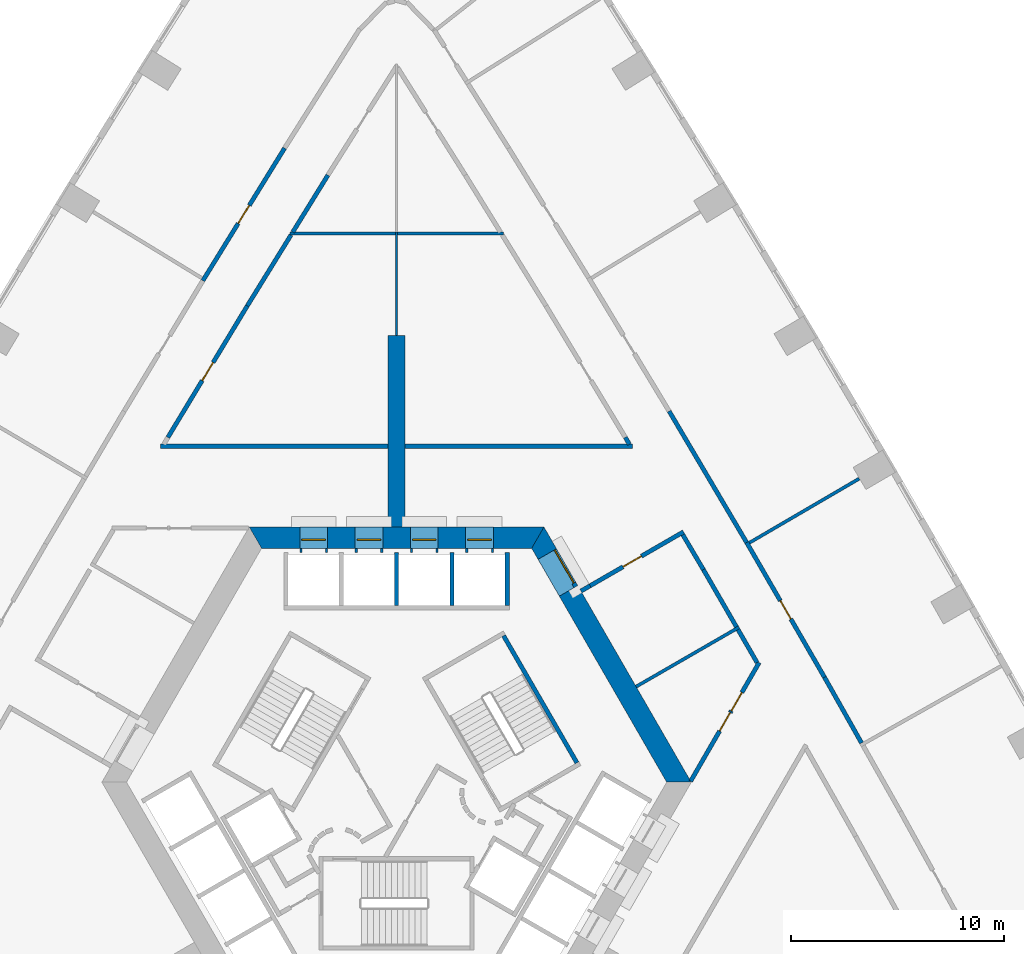
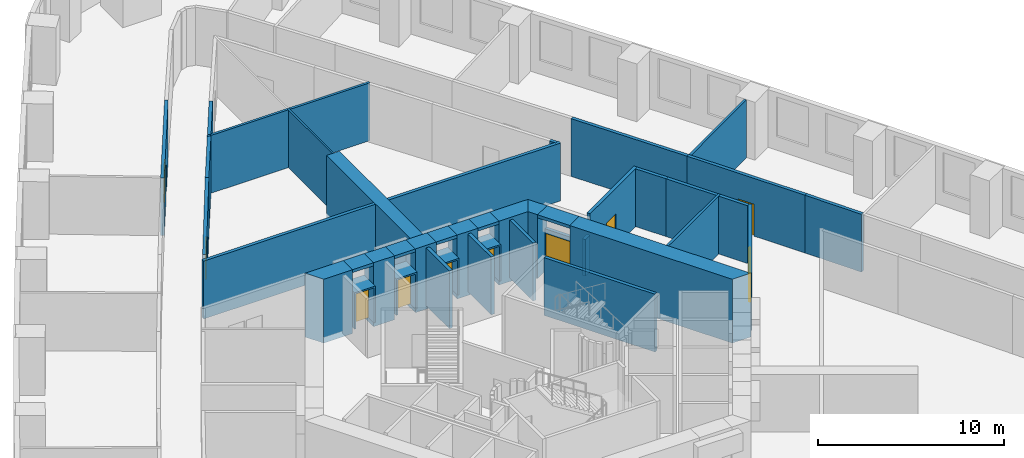
# One storey, part 9 of 13: 43 walls, 11 doors, 11 openings.
"""IFC4 building model written with IfcOpenShell, lengths in metres."""

from ifc_helpers import new_model, si_unit, direction, frame, frame_2d, origin, place, context, subcontext, project, spatial, polyline, rectangle, outline, extrude, material, layer, layer_set, type_object, element, fill, save


model = new_model("IFC4")

# Units and contexts
model_context = context("Model", 3, precision=1e-05, world=origin(), true_north=direction((0.0, 1.0)))
body_context = subcontext(model_context, "Body", "Model", "MODEL_VIEW")
ifc_project = project(units=[si_unit("LENGTHUNIT", "METRE"), si_unit("AREAUNIT", "SQUARE_METRE"), si_unit("VOLUMEUNIT", "CUBIC_METRE"), si_unit("PLANEANGLEUNIT", "RADIAN"), si_unit("MASSUNIT", "GRAM", prefix="KILO")], contexts=[model_context])

# Site, building, storey
site_placement = place(None, origin())
site = spatial("IfcSite", under=ifc_project, at=site_placement, CompositionType="ELEMENT")
building_placement = place(site_placement, origin())
building = spatial("IfcBuilding", under=site, at=building_placement, Name="Entoto Arch Interchange Tower", CompositionType="ELEMENT")
storey_placement = place(building_placement, frame((0.0, 0.0, 51.800048828125)))
storey = spatial("IfcBuildingStorey", under=building, at=storey_placement, Name="L10", CompositionType="ELEMENT", Elevation=51.800048828125)

# Wall
ifc_material_1 = material(Name="Concrete C60/75", Category="concrete")
ifc_layer_1 = layer(ifc_material_1, 0.800048828125)
ifc_layer_set_1 = layer_set([ifc_layer_1], Name="Concrete C60/75")
wall_type_1 = type_object("IfcWallType", Name="Buttress wall 800 C60/75", PredefinedType="SHEAR", material=ifc_layer_set_1)
wall_1_placement = place(storey_placement, frame((0.0, 14.5, -0.400146484375), z_axis=(0.0, 0.0, 1.0), x_axis=(0.0, 1.0, 0.0)))
element("IfcWall", 1, at=wall_1_placement, inside=storey, type_object=wall_type_1, Name="Buttress wall N L10", PredefinedType="SHEAR", context=body_context, shape_type="SweptSolid", body=[
    extrude(rectangle(XDim=9.0, YDim=0.800048828125, at=frame_2d((4.5, 0.0))), origin(), (0.0, 0.0, 1.0), 4.2001953125),
])

# Wall, opening, door
ifc_material_2 = material(Name="Reinforced concrete C40/50", Category="concrete")
ifc_layer_2 = layer(ifc_material_2, 0.199951171875)
ifc_layer_set_2 = layer_set([ifc_layer_2], Name="Reinforced concrete C40/50")
wall_type_2 = type_object("IfcWallType", Name="CORE GAP INFILL WALL", PredefinedType="PARTITIONING", material=ifc_layer_set_2)
wall_2_placement = place(storey_placement, frame((8.429931640625, 11.697998046875, 0.0), z_axis=(0.0, 0.0, 1.0), x_axis=(-0.50002537861, 0.866010750942, 0.0)))
wall_2 = element("IfcWall", 2, at=wall_2_placement, inside=storey, type_object=wall_type_2, Name="wall:L10:gap2", PredefinedType="PARTITIONING", context=body_context, shape_type="SweptSolid", body=[
    extrude(rectangle(XDim=2.0, YDim=0.199951171875, at=frame_2d((1.0, 0.0))), origin(), (0.0, 0.0, 1.0), 2.39990234375),
])
opening_1_placement = place(wall_2_placement, frame((0.18994140625, 0.0, 0.0)))
opening_1 = element("IfcOpeningElement", 3, at=opening_1_placement, cuts=wall_2, Name="Opening L10-D92", PredefinedType="OPENING", context=body_context, shape_type="SweptSolid", body=[
    extrude(rectangle(XDim=1.800048828125, YDim=2.10009765625, at=frame_2d((0.89990234375, 1.050048828125))), frame((0.0, 0.10986328125, 0.0), z_axis=(0.0, -1.0, 0.0), x_axis=(1.0, 0.0, 0.0)), (0.0, 0.0, 1.0), 0.219970703125),
])
ifc_material_3 = material(Name="Fire-rated Steel S235 door and frame", Category="steel")
door_type_1 = type_object("IfcDoorType", Name="DOOR FD-18 1800x2100", OperationType="DOUBLE_DOOR_SINGLE_SWING", PredefinedType="DOOR", material=ifc_material_3)
door_1_placement = place(opening_1_placement, origin())
door_1 = element("IfcDoor", 4, at=door_1_placement, inside=storey, type_object=door_type_1, Name="door:L10:gap2", OperationType="DOUBLE_DOOR_SINGLE_SWING", OverallHeight=2.10009765625, OverallWidth=1.800048828125, PredefinedType="DOOR", context=body_context, shape_type="SweptSolid", body=[
    extrude(rectangle(XDim=1.800048828125, YDim=2.10009765625, at=frame_2d((0.89990234375, 1.050048828125))), frame((0.0, 0.02490234375, 0.0), z_axis=(0.0, -1.0, 0.0), x_axis=(1.0, 0.0, 0.0)), (0.0, 0.0, 1.0), 0.050048828125),
])
fill(opening_1, door_1)

# Walls
ifc_layer_3 = layer(ifc_material_1, 1.0)
ifc_layer_set_3 = layer_set([ifc_layer_3], Name="Concrete C60/75")
wall_type_3 = type_object("IfcWallType", Name="Core wall 1000 C60/75", PredefinedType="SHEAR", material=ifc_layer_set_3)
wall_3_placement = place(storey_placement, frame((0.0, 0.0, -0.400146484375)))
element("IfcWall", 5, at=wall_3_placement, inside=storey, type_object=wall_type_3, Name="Core wall NE L10", PredefinedType="SHEAR", context=body_context, shape_type="SweptSolid", body=[
    extrude(outline(polyline([(8.51708984375, 11.748046875), (7.65087890625, 11.248046875), (12.701904296875, 2.5), (13.85595703125, 2.5), (8.51708984375, 11.748046875)])), origin(), (0.0, 0.0, 1.0), 4.2001953125),
])
wall_4_placement = place(storey_placement, frame((0.0, 0.0, -0.400146484375)))
element("IfcWall", 6, at=wall_4_placement, inside=storey, type_object=wall_type_3, Name="Core wall NE L10", PredefinedType="SHEAR", context=body_context, shape_type="SweptSolid", body=[
    extrude(outline(polyline([(6.65087890625, 12.97998046875), (7.51708984375, 13.47998046875), (6.927978515625, 14.5), (6.35107421875, 13.5), (6.65087890625, 12.97998046875)])), origin(), (0.0, 0.0, 1.0), 4.2001953125),
])
wall_5_placement = place(storey_placement, frame((0.0, 0.0, 3.599853515625)))
element("IfcWall", 7, at=wall_5_placement, inside=storey, type_object=wall_type_3, Name="Core wall lintel NE L10", PredefinedType="SHEAR", context=body_context, shape_type="SweptSolid", body=[
    extrude(outline(polyline([(7.51708984375, 13.47998046875), (6.65087890625, 12.97998046875), (7.65087890625, 11.248046875), (8.51708984375, 11.748046875), (7.51708984375, 13.47998046875)])), origin(), (0.0, 0.0, 1.0), 0.2001953125),
])
wall_6_placement = place(storey_placement, frame((0.0, 0.0, -0.400146484375)))
element("IfcWall", 8, at=wall_6_placement, inside=storey, type_object=wall_type_3, Name="Core wall N L10", PredefinedType="SHEAR", context=body_context, shape_type="SweptSolid", body=[
    extrude(outline(polyline([(4.550048828125, 14.5), (4.550048828125, 13.5), (6.35107421875, 13.5), (6.927978515625, 14.5), (4.550048828125, 14.5)])), origin(), (0.0, 0.0, 1.0), 4.2001953125),
])
wall_7_placement = place(storey_placement, frame((0.0, 0.0, -0.400146484375)))
element("IfcWall", 9, at=wall_7_placement, inside=storey, type_object=wall_type_3, Name="Core wall N L10", PredefinedType="SHEAR", context=body_context, shape_type="SweptSolid", body=[
    extrude(outline(polyline([(1.949951171875, 14.5), (1.949951171875, 13.5), (3.25, 13.5), (3.25, 14.5), (1.949951171875, 14.5)])), origin(), (0.0, 0.0, 1.0), 4.2001953125),
])
wall_8_placement = place(storey_placement, frame((0.0, 0.0, -0.400146484375)))
element("IfcWall", 10, at=wall_8_placement, inside=storey, type_object=wall_type_3, Name="Core wall N L10", PredefinedType="SHEAR", context=body_context, shape_type="SweptSolid", body=[
    extrude(outline(polyline([(-0.64990234375, 14.5), (-0.64990234375, 13.5), (0.64990234375, 13.5), (0.64990234375, 14.5), (-0.64990234375, 14.5)])), origin(), (0.0, 0.0, 1.0), 4.2001953125),
])
wall_9_placement = place(storey_placement, frame((0.0, 0.0, -0.400146484375)))
element("IfcWall", 11, at=wall_9_placement, inside=storey, type_object=wall_type_3, Name="Core wall N L10", PredefinedType="SHEAR", context=body_context, shape_type="SweptSolid", body=[
    extrude(outline(polyline([(-3.25, 14.5), (-3.25, 13.5), (-1.949951171875, 13.5), (-1.949951171875, 14.5), (-3.25, 14.5)])), origin(), (0.0, 0.0, 1.0), 4.2001953125),
])
wall_10_placement = place(storey_placement, frame((0.0, 0.0, -0.400146484375)))
element("IfcWall", 12, at=wall_10_placement, inside=storey, type_object=wall_type_3, Name="Core wall N L10", PredefinedType="SHEAR", context=body_context, shape_type="SweptSolid", body=[
    extrude(outline(polyline([(-4.550048828125, 13.5), (-4.550048828125, 14.5), (-6.927978515625, 14.5), (-6.35107421875, 13.5), (-4.550048828125, 13.5)])), origin(), (0.0, 0.0, 1.0), 4.2001953125),
])
wall_11_placement = place(storey_placement, frame((0.0, 0.0, 3.599853515625)))
element("IfcWall", 13, at=wall_11_placement, inside=storey, type_object=wall_type_3, Name="Core wall lintel N L10", PredefinedType="SHEAR", context=body_context, shape_type="SweptSolid", body=[
    extrude(outline(polyline([(3.25, 14.5), (3.25, 13.5), (4.550048828125, 13.5), (4.550048828125, 14.5), (3.25, 14.5)])), origin(), (0.0, 0.0, 1.0), 0.2001953125),
])
wall_12_placement = place(storey_placement, frame((0.0, 0.0, 3.599853515625)))
element("IfcWall", 14, at=wall_12_placement, inside=storey, type_object=wall_type_3, Name="Core wall lintel N L10", PredefinedType="SHEAR", context=body_context, shape_type="SweptSolid", body=[
    extrude(outline(polyline([(0.64990234375, 14.5), (0.64990234375, 13.5), (1.949951171875, 13.5), (1.949951171875, 14.5), (0.64990234375, 14.5)])), origin(), (0.0, 0.0, 1.0), 0.2001953125),
])
wall_13_placement = place(storey_placement, frame((0.0, 0.0, 3.599853515625)))
element("IfcWall", 15, at=wall_13_placement, inside=storey, type_object=wall_type_3, Name="Core wall lintel N L10", PredefinedType="SHEAR", context=body_context, shape_type="SweptSolid", body=[
    extrude(outline(polyline([(-1.949951171875, 14.5), (-1.949951171875, 13.5), (-0.64990234375, 13.5), (-0.64990234375, 14.5), (-1.949951171875, 14.5)])), origin(), (0.0, 0.0, 1.0), 0.2001953125),
])
wall_14_placement = place(storey_placement, frame((0.0, 0.0, 3.599853515625)))
element("IfcWall", 16, at=wall_14_placement, inside=storey, type_object=wall_type_3, Name="Core wall lintel N L10", PredefinedType="SHEAR", context=body_context, shape_type="SweptSolid", body=[
    extrude(outline(polyline([(-4.550048828125, 14.5), (-4.550048828125, 13.5), (-3.25, 13.5), (-3.25, 14.5), (-4.550048828125, 14.5)])), origin(), (0.0, 0.0, 1.0), 0.2001953125),
])

# Wall, opening, door
ifc_material_4 = material(Name="Concrete C40/50", Category="concrete")
ifc_layer_4 = layer(ifc_material_4, 1.199951171875)
ifc_layer_set_4 = layer_set([ifc_layer_4], Name="Concrete C40/50")
wall_type_4 = type_object("IfcWallType", Name="LIFT LANDING INFILL WALL", PredefinedType="STANDARD", material=ifc_layer_set_4)
wall_15_placement = place(storey_placement, frame((4.550048828125, 13.89990234375, 0.0), z_axis=(0.0, 0.0, 1.0), x_axis=(-1.0, 0.0, 0.0)))
wall_15 = element("IfcWall", 17, at=wall_15_placement, inside=storey, type_object=wall_type_4, Name="Lift landing infill wall LR1 L10", PredefinedType="STANDARD", context=body_context, shape_type="SweptSolid", body=[
    extrude(rectangle(XDim=1.300048828125, YDim=1.199951171875, at=frame_2d((0.64990234375, 0.0))), origin(), (0.0, 0.0, 1.0), 2.39990234375),
])
opening_2_placement = place(wall_15_placement, frame((0.10009765625, 0.0, 0.0)))
opening_2 = element("IfcOpeningElement", 18, at=opening_2_placement, cuts=wall_15, Name="Opening LD-LR1-L10", PredefinedType="OPENING", context=body_context, shape_type="SweptSolid", body=[
    extrude(rectangle(XDim=1.10009765625, YDim=2.300048828125, at=frame_2d((0.550048828125, 1.14990234375))), frame((0.0, 0.60986328125, 0.0), z_axis=(0.0, -1.0, 0.0), x_axis=(1.0, 0.0, 0.0)), (0.0, 0.0, 1.0), 1.219970703125),
])
ifc_material_5 = material(Name="Stainless steel 1.4301 panels", Category="steel")
door_type_2 = type_object("IfcDoorType", Name="LIFT LANDING DOOR LD2 1100x2300", OperationType="SLIDING_TO_LEFT", PredefinedType="DOOR", material=ifc_material_5)
door_2_placement = place(opening_2_placement, origin())
door_2 = element("IfcDoor", 19, at=door_2_placement, inside=storey, type_object=door_type_2, Name="Lift landing door LR1 L10", OperationType="SLIDING_TO_LEFT", OverallHeight=2.300048828125, OverallWidth=1.10009765625, PredefinedType="DOOR", context=body_context, shape_type="SweptSolid", body=[
    extrude(rectangle(XDim=1.10009765625, YDim=2.300048828125, at=frame_2d((0.550048828125, 1.14990234375))), frame((0.0, 0.02490234375, 0.0), z_axis=(0.0, -1.0, 0.0), x_axis=(1.0, 0.0, 0.0)), (0.0, 0.0, 1.0), 0.050048828125),
])
fill(opening_2, door_2)

wall_16_placement = place(storey_placement, frame((1.949951171875, 13.89990234375, 0.0), z_axis=(0.0, 0.0, 1.0), x_axis=(-1.0, 0.0, 0.0)))
wall_16 = element("IfcWall", 20, at=wall_16_placement, inside=storey, type_object=wall_type_4, Name="Lift landing infill wall LR2 L10", PredefinedType="STANDARD", context=body_context, shape_type="SweptSolid", body=[
    extrude(rectangle(XDim=1.300048828125, YDim=1.199951171875, at=frame_2d((0.64990234375, 0.0))), origin(), (0.0, 0.0, 1.0), 2.39990234375),
])
opening_3_placement = place(wall_16_placement, frame((0.10009765625, 0.0, 0.0)))
opening_3 = element("IfcOpeningElement", 21, at=opening_3_placement, cuts=wall_16, Name="Opening LD-LR2-L10", PredefinedType="OPENING", context=body_context, shape_type="SweptSolid", body=[
    extrude(rectangle(XDim=1.10009765625, YDim=2.300048828125, at=frame_2d((0.550048828125, 1.14990234375))), frame((0.0, 0.60986328125, 0.0), z_axis=(0.0, -1.0, 0.0), x_axis=(1.0, 0.0, 0.0)), (0.0, 0.0, 1.0), 1.219970703125),
])
door_3_placement = place(opening_3_placement, origin())
door_3 = element("IfcDoor", 22, at=door_3_placement, inside=storey, type_object=door_type_2, Name="Lift landing door LR2 L10", OperationType="SLIDING_TO_LEFT", OverallHeight=2.300048828125, OverallWidth=1.10009765625, PredefinedType="DOOR", context=body_context, shape_type="SweptSolid", body=[
    extrude(rectangle(XDim=1.10009765625, YDim=2.300048828125, at=frame_2d((0.550048828125, 1.14990234375))), frame((0.0, 0.02490234375, 0.0), z_axis=(0.0, -1.0, 0.0), x_axis=(1.0, 0.0, 0.0)), (0.0, 0.0, 1.0), 0.050048828125),
])
fill(opening_3, door_3)

wall_17_placement = place(storey_placement, frame((-0.64990234375, 13.89990234375, 0.0), z_axis=(0.0, 0.0, 1.0), x_axis=(-1.0, 0.0, 0.0)))
wall_17 = element("IfcWall", 23, at=wall_17_placement, inside=storey, type_object=wall_type_4, Name="Lift landing infill wall LR3 L10", PredefinedType="STANDARD", context=body_context, shape_type="SweptSolid", body=[
    extrude(rectangle(XDim=1.300048828125, YDim=1.199951171875, at=frame_2d((0.64990234375, 0.0))), origin(), (0.0, 0.0, 1.0), 2.39990234375),
])
opening_4_placement = place(wall_17_placement, frame((0.10009765625, 0.0, 0.0)))
opening_4 = element("IfcOpeningElement", 24, at=opening_4_placement, cuts=wall_17, Name="Opening LD-LR3-L10", PredefinedType="OPENING", context=body_context, shape_type="SweptSolid", body=[
    extrude(rectangle(XDim=1.10009765625, YDim=2.300048828125, at=frame_2d((0.550048828125, 1.14990234375))), frame((0.0, 0.60986328125, 0.0), z_axis=(0.0, -1.0, 0.0), x_axis=(1.0, 0.0, 0.0)), (0.0, 0.0, 1.0), 1.219970703125),
])
door_4_placement = place(opening_4_placement, origin())
door_4 = element("IfcDoor", 25, at=door_4_placement, inside=storey, type_object=door_type_2, Name="Lift landing door LR3 L10", OperationType="SLIDING_TO_LEFT", OverallHeight=2.300048828125, OverallWidth=1.10009765625, PredefinedType="DOOR", context=body_context, shape_type="SweptSolid", body=[
    extrude(rectangle(XDim=1.10009765625, YDim=2.300048828125, at=frame_2d((0.550048828125, 1.14990234375))), frame((0.0, 0.02490234375, 0.0), z_axis=(0.0, -1.0, 0.0), x_axis=(1.0, 0.0, 0.0)), (0.0, 0.0, 1.0), 0.050048828125),
])
fill(opening_4, door_4)

wall_18_placement = place(storey_placement, frame((-3.25, 13.89990234375, 0.0), z_axis=(0.0, 0.0, 1.0), x_axis=(-1.0, 0.0, 0.0)))
wall_18 = element("IfcWall", 26, at=wall_18_placement, inside=storey, type_object=wall_type_4, Name="Lift landing infill wall LR4 L10", PredefinedType="STANDARD", context=body_context, shape_type="SweptSolid", body=[
    extrude(rectangle(XDim=1.300048828125, YDim=1.199951171875, at=frame_2d((0.64990234375, 0.0))), origin(), (0.0, 0.0, 1.0), 2.39990234375),
])
opening_5_placement = place(wall_18_placement, frame((0.10009765625, 0.0, 0.0)))
opening_5 = element("IfcOpeningElement", 27, at=opening_5_placement, cuts=wall_18, Name="Opening LD-LR4-L10", PredefinedType="OPENING", context=body_context, shape_type="SweptSolid", body=[
    extrude(rectangle(XDim=1.10009765625, YDim=2.300048828125, at=frame_2d((0.550048828125, 1.14990234375))), frame((0.0, 0.60986328125, 0.0), z_axis=(0.0, -1.0, 0.0), x_axis=(1.0, 0.0, 0.0)), (0.0, 0.0, 1.0), 1.219970703125),
])
door_5_placement = place(opening_5_placement, origin())
door_5 = element("IfcDoor", 28, at=door_5_placement, inside=storey, type_object=door_type_2, Name="Lift landing door LR4 L10", OperationType="SLIDING_TO_LEFT", OverallHeight=2.300048828125, OverallWidth=1.10009765625, PredefinedType="DOOR", context=body_context, shape_type="SweptSolid", body=[
    extrude(rectangle(XDim=1.10009765625, YDim=2.300048828125, at=frame_2d((0.550048828125, 1.14990234375))), frame((0.0, 0.02490234375, 0.0), z_axis=(0.0, -1.0, 0.0), x_axis=(1.0, 0.0, 0.0)), (0.0, 0.0, 1.0), 0.050048828125),
])
fill(opening_5, door_5)

# Walls
ifc_layer_5 = layer(ifc_material_4, 0.199951171875)
ifc_layer_set_5 = layer_set([ifc_layer_5], Name="Concrete C40/50")
wall_type_5 = type_object("IfcWallType", Name="LIFT SHAFT WALL 200", PredefinedType="STANDARD", material=ifc_layer_set_5)
for number, where, z_axis, x_axis, name in (
    (29, (5.199951171875, 10.800048828125, 0.0), (0.0, 0.0, 1.0), (0.0, 1.0, 0.0), "Shaft wall N3 cross 1"),
    (30, (2.60009765625, 10.800048828125, 0.0), (0.0, 0.0, 1.0), (0.0, 1.0, 0.0), "Shaft wall N3 cross 2"),
    (31, (0.0, 10.800048828125, 0.0), (0.0, 0.0, 1.0), (0.0, 1.0, 0.0), "Shaft wall N3 cross 3"),
):
    element("IfcWall", number, at=place(storey_placement, frame(where, z_axis=z_axis, x_axis=x_axis)), inside=storey, type_object=wall_type_5, Name=name, PredefinedType="STANDARD", context=body_context, shape_type="SweptSolid", body=[
        extrude(rectangle(XDim=2.5, YDim=0.199951171875, at=frame_2d((1.25, 0.0))), origin(), (0.0, 0.0, 1.0), 3.800048828125),
    ])
ifc_material_6 = material(Name="Gypsum board partition on steel studs", Category="steel")
ifc_layer_6 = layer(ifc_material_6, 0.10009765625)
ifc_layer_set_6 = layer_set([ifc_layer_6], Name="Gypsum board partition on steel studs")
wall_type_6 = type_object("IfcWallType", Name="PARTITION 100", PredefinedType="PARTITIONING", material=ifc_layer_set_6)
wall_19_placement = place(storey_placement, frame((0.0, 23.5, 0.0), z_axis=(0.0, 0.0, 1.0), x_axis=(0.0, 1.0, 0.0)))
element("IfcWall", 32, at=wall_19_placement, inside=storey, type_object=wall_type_6, Name="wall:L10:p119", PredefinedType="PARTITIONING", context=body_context, shape_type="SweptSolid", body=[
    extrude(rectangle(XDim=4.875, YDim=0.10009765625, at=frame_2d((2.4375, 0.0))), origin(), (0.0, 0.0, 1.0), 3.800048828125),
])
ifc_layer_7 = layer(ifc_material_6, 0.14990234375)
ifc_layer_set_7 = layer_set([ifc_layer_7], Name="Gypsum board partition on steel studs")
wall_type_7 = type_object("IfcWallType", Name="PARTITION 150", PredefinedType="PARTITIONING", material=ifc_layer_set_7)
wall_20_placement = place(storey_placement, frame((16.10400390625, 9.7900390625, 0.0), z_axis=(0.0, 0.0, 1.0), x_axis=(-0.866023462144, -0.500003363005, 0.0)))
element("IfcWall", 33, at=wall_20_placement, inside=storey, type_object=wall_type_7, Name="wall:L10:p092", PredefinedType="PARTITIONING", context=body_context, shape_type="SweptSolid", body=[
    extrude(rectangle(XDim=5.59228515625, YDim=0.14990234375, at=frame_2d((2.796142578125, 0.0))), origin(), (0.0, 0.0, 1.0), 3.800048828125),
])
for number, where, z_axis, x_axis, name in (
    (34, (0.050048828125, 28.300048828125, 0.0), (0.0, 0.0, 1.0), (1.0, 0.0, 0.0), "wall:L10:p120"),
    (35, (-5.02392578125, 28.300048828125, 0.0), (0.0, 0.0, 1.0), (1.0, 0.0, 0.0), "wall:L10:p121"),
):
    element("IfcWall", number, at=place(storey_placement, frame(where, z_axis=z_axis, x_axis=x_axis)), inside=storey, type_object=wall_type_7, Name=name, PredefinedType="PARTITIONING", context=body_context, shape_type="SweptSolid", body=[
        extrude(rectangle(XDim=4.973876953125, YDim=0.14990234375, at=frame_2d((2.48681640625, 0.0))), origin(), (0.0, 0.0, 1.0), 3.800048828125),
    ])
wall_21_placement = place(storey_placement, frame((16.583984375, 13.757080078125, 0.0), z_axis=(0.0, 0.0, 1.0), x_axis=(0.863565634474, 0.504236447469, 0.0)))
element("IfcWall", 36, at=wall_21_placement, inside=storey, type_object=wall_type_7, Name="wall:L10:p136", PredefinedType="PARTITIONING", context=body_context, shape_type="SweptSolid", body=[
    extrude(rectangle(XDim=5.98095703125, YDim=0.14990234375, at=frame_2d((2.990478515625, 0.0))), origin(), (0.0, 0.0, 1.0), 3.800048828125),
])
ifc_layer_8 = layer(ifc_material_6, 0.199951171875)
ifc_layer_set_8 = layer_set([ifc_layer_8], Name="Gypsum board partition on steel studs")
wall_type_8 = type_object("IfcWallType", Name="PARTITION 200", PredefinedType="PARTITIONING", material=ifc_layer_set_8)
wall_22_placement = place(storey_placement, frame((15.97998046875, 9.804931640625, 0.0), z_axis=(0.0, 0.0, 1.0), x_axis=(-0.500150684419, 0.865938388614, 0.0)))
element("IfcWall", 37, at=wall_22_placement, inside=storey, type_object=wall_type_8, Name="wall:L10:p004", PredefinedType="PARTITIONING", context=body_context, shape_type="SweptSolid", body=[
    extrude(rectangle(XDim=3.10888671875, YDim=0.199951171875, at=frame_2d((1.554443359375, 0.0))), origin(), (0.0, 0.0, 1.0), 3.800048828125),
])
wall_23_placement = place(storey_placement, frame((14.425048828125, 12.4970703125, 0.0), z_axis=(0.0, 0.0, 1.0), x_axis=(-0.508111788435, 0.861291129905, 0.0)))
element("IfcWall", 38, at=wall_23_placement, inside=storey, type_object=wall_type_8, Name="wall:L10:p005", PredefinedType="PARTITIONING", context=body_context, shape_type="SweptSolid", body=[
    extrude(rectangle(XDim=1.905029296875, YDim=0.199951171875, at=frame_2d((0.95263671875, 0.0))), origin(), (0.0, 0.0, 1.0), 3.800048828125),
])

# Wall, opening, door
wall_24_placement = place(storey_placement, frame((13.491943359375, 14.27392578125, 0.0), z_axis=(0.0, 0.0, 1.0), x_axis=(-0.866003598361, -0.5000377662, 0.0)))
wall_24 = element("IfcWall", 39, at=wall_24_placement, inside=storey, type_object=wall_type_8, Name="wall:L10:p006", PredefinedType="PARTITIONING", context=body_context, shape_type="SweptSolid", body=[
    extrude(rectangle(XDim=5.0712890625, YDim=0.199951171875, at=frame_2d((2.53564453125, 0.0))), origin(), (0.0, 0.0, 1.0), 3.800048828125),
])
opening_6_placement = place(wall_24_placement, frame((2.285888671875, 0.0, 0.0)))
opening_6 = element("IfcOpeningElement", 40, at=opening_6_placement, cuts=wall_24, Name="Opening L10-D29", PredefinedType="OPENING", context=body_context, shape_type="SweptSolid", body=[
    extrude(rectangle(XDim=1.0, YDim=2.10009765625, at=frame_2d((0.5, 1.050048828125))), frame((0.0, 0.10986328125, 0.0), z_axis=(0.0, -1.0, 0.0), x_axis=(1.0, 0.0, 0.0)), (0.0, 0.0, 1.0), 0.219970703125),
])
ifc_material_7 = material(Name="Timber door leaf in Steel S235 frame", Category="steel")
door_type_3 = type_object("IfcDoorType", Name="DOOR DS-10 1000x2100", OperationType="SINGLE_SWING_LEFT", PredefinedType="DOOR", material=ifc_material_7)
door_6_placement = place(opening_6_placement, origin())
door_6 = element("IfcDoor", 41, at=door_6_placement, inside=storey, type_object=door_type_3, Name="door:L10:29", OperationType="SINGLE_SWING_LEFT", OverallHeight=2.10009765625, OverallWidth=1.0, PredefinedType="DOOR", context=body_context, shape_type="SweptSolid", body=[
    extrude(rectangle(XDim=1.0, YDim=2.10009765625, at=frame_2d((0.5, 1.050048828125))), frame((0.0, 0.02490234375, 0.0), z_axis=(0.0, -1.0, 0.0), x_axis=(1.0, 0.0, 0.0)), (0.0, 0.0, 1.0), 0.050048828125),
])
fill(opening_6, door_6)

# Walls
wall_25_placement = place(storey_placement, frame((16.947998046875, 8.1279296875, 0.0), z_axis=(0.0, 0.0, 1.0), x_axis=(-0.499931460552, 0.866064971437, 0.0)))
element("IfcWall", 42, at=wall_25_placement, inside=storey, type_object=wall_type_8, Name="wall:L10:p007", PredefinedType="PARTITIONING", context=body_context, shape_type="SweptSolid", body=[
    extrude(rectangle(XDim=1.786376953125, YDim=0.199951171875, at=frame_2d((0.89306640625, 0.0))), origin(), (0.0, 0.0, 1.0), 3.800048828125),
])
wall_26_placement = place(storey_placement, frame((10.947998046875, 18.385986328125, 0.0), z_axis=(0.0, 0.0, 1.0), x_axis=(-0.506880801681, 0.862016155815, 0.0)))
element("IfcWall", 43, at=wall_26_placement, inside=storey, type_object=wall_type_8, Name="wall:L10:p008", PredefinedType="PARTITIONING", context=body_context, shape_type="SweptSolid", body=[
    extrude(rectangle(XDim=0.3828125, YDim=0.199951171875, at=frame_2d((0.19140625, 0.0))), origin(), (0.0, 0.0, 1.0), 3.800048828125),
])
wall_27_placement = place(storey_placement, frame((-4.962890625, 28.236083984375, 0.0), z_axis=(0.0, 0.0, 1.0), x_axis=(-0.525104448775, -0.851037788748, 0.0)))
element("IfcWall", 44, at=wall_27_placement, inside=storey, type_object=wall_type_8, Name="wall:L10:p011", PredefinedType="PARTITIONING", context=body_context, shape_type="SweptSolid", body=[
    extrude(rectangle(XDim=3.92138671875, YDim=0.199951171875, at=frame_2d((1.960693359375, 0.0))), origin(), (0.0, 0.0, 1.0), 3.800048828125),
])

# Wall, opening, door
wall_28_placement = place(storey_placement, frame((-7.02197265625, 24.89892578125, 0.0), z_axis=(0.0, 0.0, 1.0), x_axis=(-0.516755973305, -0.856132737403, 0.0)))
wall_28 = element("IfcWall", 45, at=wall_28_placement, inside=storey, type_object=wall_type_8, Name="wall:L10:p012", PredefinedType="PARTITIONING", context=body_context, shape_type="SweptSolid", body=[
    extrude(rectangle(XDim=7.221923828125, YDim=0.199951171875, at=frame_2d((3.61083984375, 0.0))), origin(), (0.0, 0.0, 1.0), 3.800048828125),
])
opening_7_placement = place(wall_28_placement, frame((3.111083984375, 0.0, 0.0)))
opening_7 = element("IfcOpeningElement", 46, at=opening_7_placement, cuts=wall_28, Name="Opening L10-D18", PredefinedType="OPENING", context=body_context, shape_type="SweptSolid", body=[
    extrude(rectangle(XDim=1.0, YDim=2.10009765625, at=frame_2d((0.5, 1.050048828125))), frame((0.0, 0.10986328125, 0.0), z_axis=(0.0, -1.0, 0.0), x_axis=(1.0, 0.0, 0.0)), (0.0, 0.0, 1.0), 0.219970703125),
])
door_7_placement = place(opening_7_placement, origin())
door_7 = element("IfcDoor", 47, at=door_7_placement, inside=storey, type_object=door_type_3, Name="door:L10:18", OperationType="SINGLE_SWING_LEFT", OverallHeight=2.10009765625, OverallWidth=1.0, PredefinedType="DOOR", context=body_context, shape_type="SweptSolid", body=[
    extrude(rectangle(XDim=1.0, YDim=2.10009765625, at=frame_2d((0.5, 1.050048828125))), frame((0.0, 0.02490234375, 0.0), z_axis=(0.0, -1.0, 0.0), x_axis=(1.0, 0.0, 0.0)), (0.0, 0.0, 1.0), 0.050048828125),
])
fill(opening_7, door_7)

# Wall
wall_29_placement = place(storey_placement, frame((-3.23095703125, 31.044921875, 0.0), z_axis=(0.0, 0.0, 1.0), x_axis=(-0.525078663571, -0.851053698107, 0.0)))
element("IfcWall", 48, at=wall_29_placement, inside=storey, type_object=wall_type_8, Name="wall:L10:p017", PredefinedType="PARTITIONING", context=body_context, shape_type="SweptSolid", body=[
    extrude(rectangle(XDim=3.150146484375, YDim=0.199951171875, at=frame_2d((1.5751953125, 0.0))), origin(), (0.0, 0.0, 1.0), 3.800048828125),
])

# Wall, opening, door
wall_30_placement = place(storey_placement, frame((16.4599609375, 13.77197265625, 0.0), z_axis=(0.0, 0.0, 1.0), x_axis=(0.500099745063, -0.865967808286, 0.0)))
wall_30 = element("IfcWall", 49, at=wall_30_placement, inside=storey, type_object=wall_type_8, Name="wall:L10:p049", PredefinedType="PARTITIONING", context=body_context, shape_type="SweptSolid", body=[
    extrude(rectangle(XDim=7.31884765625, YDim=0.199951171875, at=frame_2d((3.659423828125, 0.0))), origin(), (0.0, 0.0, 1.0), 3.800048828125),
])
opening_8_placement = place(wall_30_placement, frame((3.158935546875, 0.0, 0.0)))
opening_8 = element("IfcOpeningElement", 50, at=opening_8_placement, cuts=wall_30, Name="Opening L10-D05", PredefinedType="OPENING", context=body_context, shape_type="SweptSolid", body=[
    extrude(rectangle(XDim=1.0, YDim=2.10009765625, at=frame_2d((0.5, 1.050048828125))), frame((0.0, 0.10986328125, 0.0), z_axis=(0.0, -1.0, 0.0), x_axis=(1.0, 0.0, 0.0)), (0.0, 0.0, 1.0), 0.219970703125),
])
door_8_placement = place(opening_8_placement, origin())
door_8 = element("IfcDoor", 51, at=door_8_placement, inside=storey, type_object=door_type_3, Name="door:L10:05", OperationType="SINGLE_SWING_LEFT", OverallHeight=2.10009765625, OverallWidth=1.0, PredefinedType="DOOR", context=body_context, shape_type="SweptSolid", body=[
    extrude(rectangle(XDim=1.0, YDim=2.10009765625, at=frame_2d((0.5, 1.050048828125))), frame((0.0, 0.02490234375, 0.0), z_axis=(0.0, -1.0, 0.0), x_axis=(1.0, 0.0, 0.0)), (0.0, 0.0, 1.0), 0.050048828125),
])
fill(opening_8, door_8)

# Walls
wall_31_placement = place(storey_placement, frame((20.1201171875, 7.43408203125, 0.0), z_axis=(0.0, 0.0, 1.0), x_axis=(0.491394823876, -0.87093692485, 0.0)))
element("IfcWall", 52, at=wall_31_placement, inside=storey, type_object=wall_type_8, Name="wall:L10:p050", PredefinedType="PARTITIONING", context=body_context, shape_type="SweptSolid", body=[
    extrude(rectangle(XDim=3.546875, YDim=0.199951171875, at=frame_2d((1.7734375, 0.0))), origin(), (0.0, 0.0, 1.0), 3.800048828125),
])
wall_32_placement = place(storey_placement, frame((12.81494140625, 19.946044921875, 0.0), z_axis=(0.0, 0.0, 1.0), x_axis=(0.508287536166, -0.861187424768, 0.0)))
element("IfcWall", 53, at=wall_32_placement, inside=storey, type_object=wall_type_8, Name="wall:L10:p052", PredefinedType="PARTITIONING", context=body_context, shape_type="SweptSolid", body=[
    extrude(rectangle(XDim=7.169189453125, YDim=0.199951171875, at=frame_2d((3.58447265625, 0.0))), origin(), (0.0, 0.0, 1.0), 3.800048828125),
])

# Wall, opening, door
wall_33_placement = place(storey_placement, frame((-9.110107421875, 26.0849609375, 0.0), z_axis=(0.0, 0.0, 1.0), x_axis=(0.525007100846, 0.85109784635, 0.0)))
wall_33 = element("IfcWall", 54, at=wall_33_placement, inside=storey, type_object=wall_type_8, Name="wall:L10:p056", PredefinedType="PARTITIONING", context=body_context, shape_type="SweptSolid", body=[
    extrude(rectangle(XDim=7.31982421875, YDim=0.199951171875, at=frame_2d((3.659912109375, 0.0))), origin(), (0.0, 0.0, 1.0), 3.800048828125),
])
opening_9_placement = place(wall_33_placement, frame((3.159912109375, 0.0, 0.0)))
opening_9 = element("IfcOpeningElement", 55, at=opening_9_placement, cuts=wall_33, Name="Opening L10-D09", PredefinedType="OPENING", context=body_context, shape_type="SweptSolid", body=[
    extrude(rectangle(XDim=1.0, YDim=2.10009765625, at=frame_2d((0.5, 1.050048828125))), frame((0.0, 0.10986328125, 0.0), z_axis=(0.0, -1.0, 0.0), x_axis=(1.0, 0.0, 0.0)), (0.0, 0.0, 1.0), 0.219970703125),
])
door_9_placement = place(opening_9_placement, origin())
door_9 = element("IfcDoor", 56, at=door_9_placement, inside=storey, type_object=door_type_3, Name="door:L10:09", OperationType="SINGLE_SWING_RIGHT", OverallHeight=2.10009765625, OverallWidth=1.0, PredefinedType="DOOR", context=body_context, shape_type="SweptSolid", body=[
    extrude(rectangle(XDim=1.0, YDim=2.10009765625, at=frame_2d((0.5, 1.050048828125))), frame((0.0, 0.02490234375, 0.0), z_axis=(0.0, -1.0, 0.0), x_axis=(1.0, 0.0, 0.0)), (0.0, 0.0, 1.0), 0.050048828125),
])
fill(opening_9, door_9)

# Wall, openings, doors
wall_34_placement = place(storey_placement, frame((13.826904296875, 2.550048828125, 0.0), z_axis=(0.0, 0.0, 1.0), x_axis=(0.500093193185, 0.865971591988, 0.0)))
wall_34 = element("IfcWall", 57, at=wall_34_placement, inside=storey, type_object=wall_type_8, Name="wall:L10:p093", PredefinedType="PARTITIONING", context=body_context, shape_type="SweptSolid", body=[
    extrude(rectangle(XDim=6.441162109375, YDim=0.199951171875, at=frame_2d((3.220703125, 0.0))), origin(), (0.0, 0.0, 1.0), 3.800048828125),
])
opening_10_placement = place(wall_34_placement, frame((2.720947265625, 0.0, 0.0)))
opening_10 = element("IfcOpeningElement", 58, at=opening_10_placement, cuts=wall_34, Name="Opening L10-D30", PredefinedType="OPENING", context=body_context, shape_type="SweptSolid", body=[
    extrude(rectangle(XDim=1.0, YDim=2.10009765625, at=frame_2d((0.5, 1.050048828125))), frame((0.0, 0.10986328125, 0.0), z_axis=(0.0, -1.0, 0.0), x_axis=(1.0, 0.0, 0.0)), (0.0, 0.0, 1.0), 0.219970703125),
])
opening_11_placement = place(wall_34_placement, frame((3.821044921875, 0.0, 0.0)))
opening_11 = element("IfcOpeningElement", 59, at=opening_11_placement, cuts=wall_34, Name="Opening L10-D36", PredefinedType="OPENING", context=body_context, shape_type="SweptSolid", body=[
    extrude(rectangle(XDim=1.0, YDim=2.10009765625, at=frame_2d((0.5, 1.050048828125))), frame((0.0, 0.10986328125, 0.0), z_axis=(0.0, -1.0, 0.0), x_axis=(1.0, 0.0, 0.0)), (0.0, 0.0, 1.0), 0.219970703125),
])
door_10_placement = place(opening_10_placement, origin())
door_10 = element("IfcDoor", 60, at=door_10_placement, inside=storey, type_object=door_type_3, Name="door:L10:30", OperationType="SINGLE_SWING_LEFT", OverallHeight=2.10009765625, OverallWidth=1.0, PredefinedType="DOOR", context=body_context, shape_type="SweptSolid", body=[
    extrude(rectangle(XDim=1.0, YDim=2.10009765625, at=frame_2d((0.5, 1.050048828125))), frame((0.0, 0.02490234375, 0.0), z_axis=(0.0, -1.0, 0.0), x_axis=(1.0, 0.0, 0.0)), (0.0, 0.0, 1.0), 0.050048828125),
])
fill(opening_10, door_10)
door_11_placement = place(opening_11_placement, origin())
door_11 = element("IfcDoor", 61, at=door_11_placement, inside=storey, type_object=door_type_3, Name="door:L10:36", OperationType="SINGLE_SWING_RIGHT", OverallHeight=2.10009765625, OverallWidth=1.0, PredefinedType="DOOR", context=body_context, shape_type="SweptSolid", body=[
    extrude(rectangle(XDim=1.0, YDim=2.10009765625, at=frame_2d((0.5, 1.050048828125))), frame((0.0, 0.02490234375, 0.0), z_axis=(0.0, -1.0, 0.0), x_axis=(1.0, 0.0, 0.0)), (0.0, 0.0, 1.0), 0.050048828125),
])
fill(opening_11, door_11)

# Walls
for number, where, z_axis, x_axis, name in (
    (62, (0.39990234375, 18.300048828125, 0.0), (0.0, 0.0, 1.0), (1.0, 0.0, 0.0), "wall:L10:p116"),
    (63, (-11.09912109375, 18.300048828125, 0.0), (0.0, 0.0, 1.0), (1.0, 0.0, 0.0), "wall:L10:p117"),
):
    element("IfcWall", number, at=place(storey_placement, frame(where, z_axis=z_axis, x_axis=x_axis)), inside=storey, type_object=wall_type_8, Name=name, PredefinedType="PARTITIONING", context=body_context, shape_type="SweptSolid", body=[
        extrude(rectangle(XDim=10.69921875, YDim=0.199951171875, at=frame_2d((5.349609375, 0.0))), origin(), (0.0, 0.0, 1.0), 3.800048828125),
    ])
wall_35_placement = place(storey_placement, frame((9.10009765625, 11.738037109375, 0.0), z_axis=(0.0, 0.0, 1.0), x_axis=(-0.866071776036, -0.499919672301, 0.0)))
element("IfcWall", 64, at=wall_35_placement, inside=storey, type_object=wall_type_8, Name="wall:L10:p006", PredefinedType="PARTITIONING", context=body_context, shape_type="SweptSolid", body=[
    extrude(rectangle(XDim=0.5, YDim=0.199951171875, at=frame_2d((0.25, 0.0))), origin(), (0.0, 0.0, 1.0), 2.39990234375),
])
ifc_layer_9 = layer(ifc_material_4, 0.199951171875)
ifc_layer_set_9 = layer_set([ifc_layer_9], Name="Concrete C40/50")
wall_type_9 = type_object("IfcWallType", Name="STAIR ENCLOSURE WALL 200", PredefinedType="STANDARD", material=ifc_layer_set_9)
wall_36_placement = place(storey_placement, frame((8.47998046875, 3.412109375, 0.0), z_axis=(0.0, 0.0, 1.0), x_axis=(-0.499978703459, 0.866037698999, 0.0)))
element("IfcWall", 65, at=wall_36_placement, inside=storey, type_object=wall_type_9, Name="Stair wall ST-NE back", PredefinedType="STANDARD", context=body_context, shape_type="SweptSolid", body=[
    extrude(rectangle(XDim=6.900146484375, YDim=0.199951171875, at=frame_2d((3.4501953125, 0.0))), origin(), (0.0, 0.0, 1.0), 3.800048828125),
])

save(model, "model.ifc")
